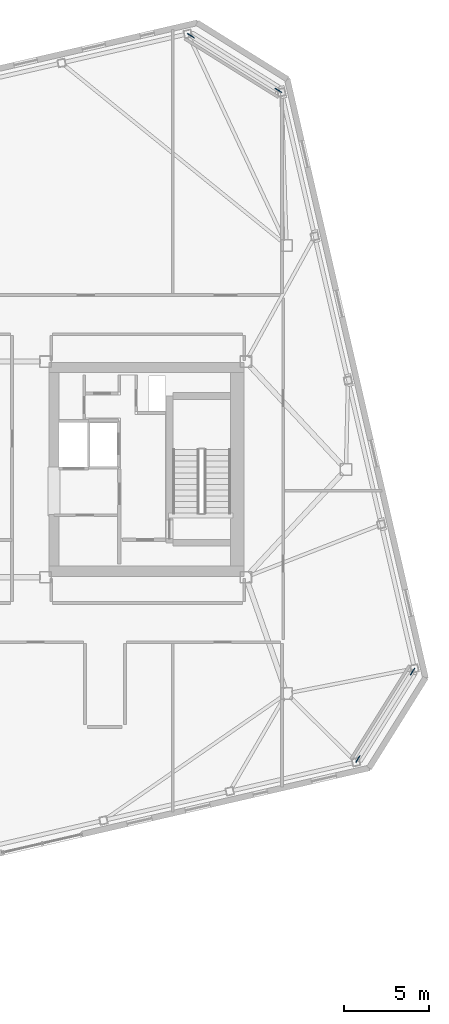
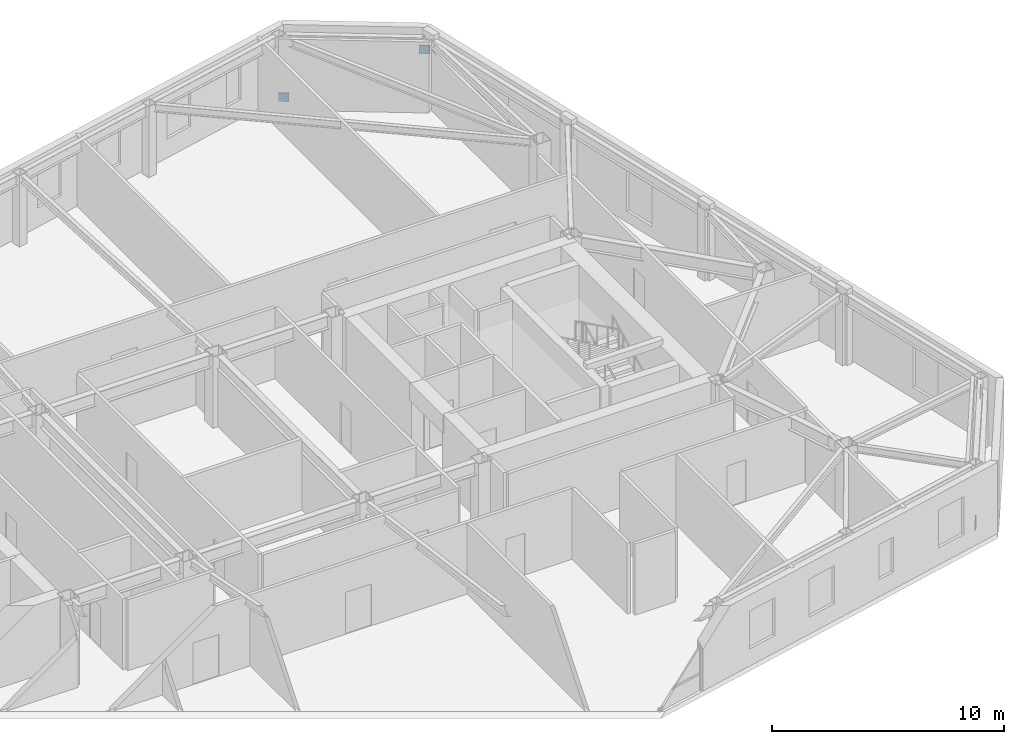
# One storey, part 22 of 23: 4 discrete accessories.
"""IFC4 building model written with IfcOpenShell, lengths in metres."""

from ifc_helpers import new_model, si_unit, direction, frame, origin, origin_2d, place, context, subcontext, project, spatial, rectangle, extrude, material, type_object, element, save


model = new_model("IFC4")

# Units and contexts
model_context = context("Model", 3, precision=1e-05, world=origin(), true_north=direction((0.0, 1.0)))
body_context = subcontext(model_context, "Body", "Model", "MODEL_VIEW")
ifc_project = project(units=[si_unit("LENGTHUNIT", "METRE"), si_unit("AREAUNIT", "SQUARE_METRE"), si_unit("VOLUMEUNIT", "CUBIC_METRE"), si_unit("PLANEANGLEUNIT", "RADIAN"), si_unit("MASSUNIT", "GRAM", prefix="KILO")], contexts=[model_context])

# Site, building, storey
site_placement = place(None, origin())
site = spatial("IfcSite", under=ifc_project, at=site_placement, CompositionType="ELEMENT")
building_placement = place(site_placement, origin())
building = spatial("IfcBuilding", under=site, at=building_placement, Name="Tavrogorsk Clinical Tower", CompositionType="ELEMENT")
storey_placement = place(building_placement, frame((0.0, 0.0, 297.0)))
storey = spatial("IfcBuildingStorey", under=building, at=storey_placement, Name="L69", CompositionType="ELEMENT", Elevation=297.0)

# Discrete accessories
ifc_material = material(Name="Structural steel S440", Category="steel")
discrete_accessory_type = type_object("IfcDiscreteAccessoryType", Name="GussetPlateBracket_25", PredefinedType="BRACKET", material=ifc_material)
for number, where, z_axis, x_axis, name in (
    (1, (28.70166015625, -17.063720703125, 0.163330078125), (0.0, 0.0, 1.0), (0.529919264233, 0.848048096156, 0.0), "L69 Brace Gusset Plate EXOCRN-L69-1-A"),
    (2, (31.9228515625, -11.9091796875, 2.81689453125), (0.0, 0.0, 1.0), (0.529919264233, 0.848048096156, 0.0), "L69 Brace Gusset Plate EXOCRN-L69-1-B"),
    (3, (18.86279296875, 25.55322265625, 0.163330078125), (0.0, 0.0, 1.0), (0.848048096156, -0.529919264233, 0.0), "L69 Brace Gusset Plate EXOCRN-L69-2-A"),
    (4, (24.017578125, 22.332275390625, 2.81689453125), (0.0, 0.0, 1.0), (0.848048096156, -0.529919264233, 0.0), "L69 Brace Gusset Plate EXOCRN-L69-2-B"),
):
    element("IfcDiscreteAccessory", number, at=place(storey_placement, frame(where, z_axis=z_axis, x_axis=x_axis)), inside=storey, type_object=discrete_accessory_type, Name=name, PredefinedType="BRACKET", context=body_context, shape_type="SweptSolid", body=[
        extrude(rectangle(XDim=0.4599609375, YDim=0.0400390625, at=origin_2d()), origin(), (0.0, 0.0, 1.0), 0.4599609375),
    ])

save(model, "model.ifc")
